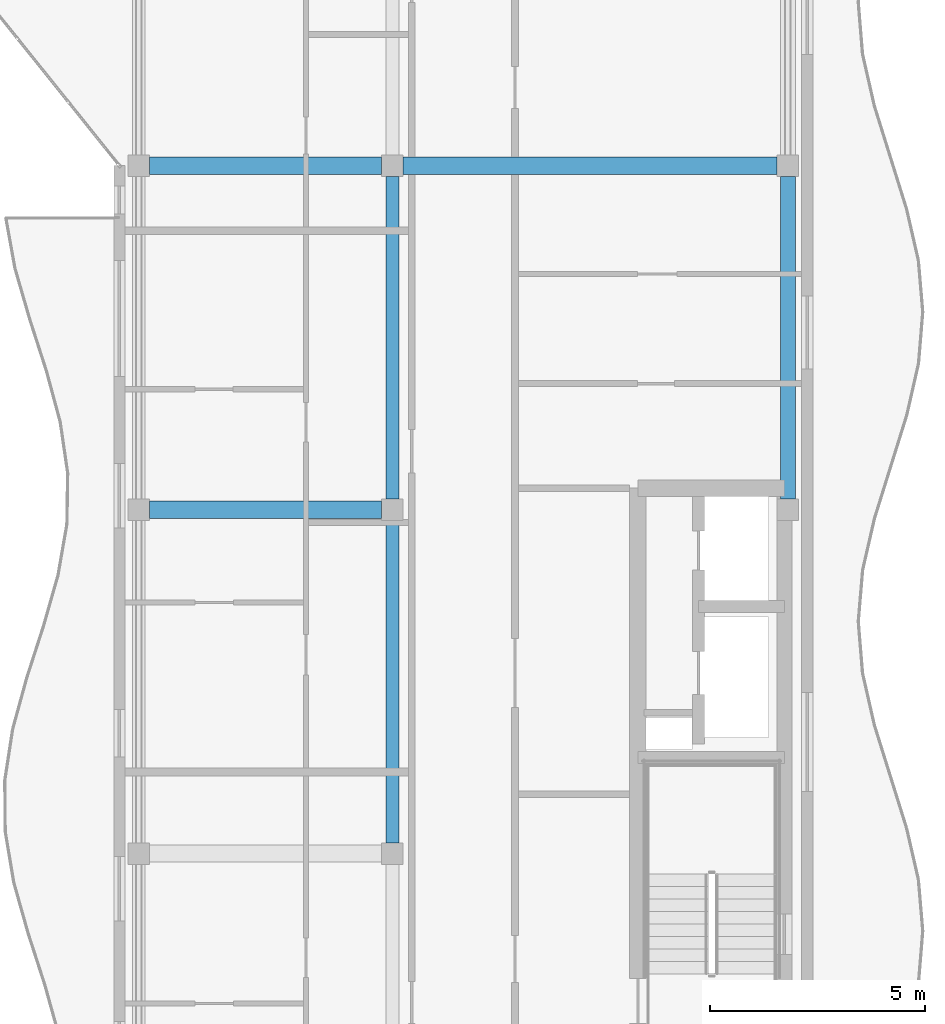
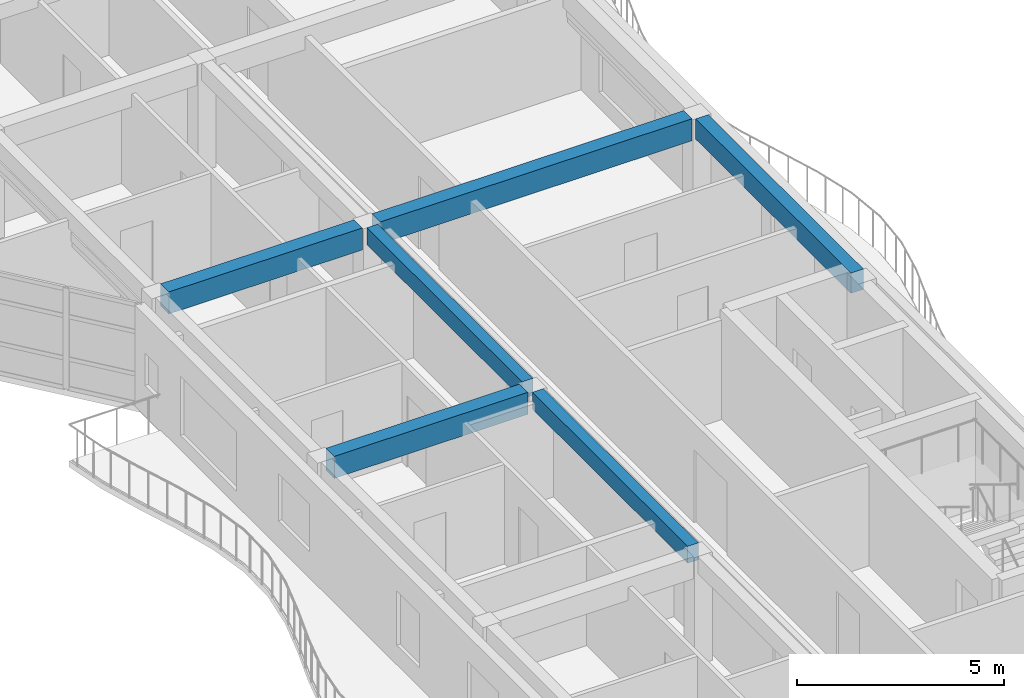
# One storey, part 8 of 30: 6 beams.
"""IFC4 building model written with IfcOpenShell, lengths in metres."""

from ifc_helpers import new_model, si_unit, direction, frame, origin, origin_2d, place, context, subcontext, project, spatial, rectangle, extrude, material, material_profile, profile_set, type_object, element, save


model = new_model("IFC4")

# Units and contexts
model_context = context("Model", 3, precision=1e-05, world=origin(), true_north=direction((0.0, 1.0)))
body_context = subcontext(model_context, "Body", "Model", "MODEL_VIEW")
ifc_project = project(units=[si_unit("LENGTHUNIT", "METRE"), si_unit("AREAUNIT", "SQUARE_METRE"), si_unit("VOLUMEUNIT", "CUBIC_METRE"), si_unit("PLANEANGLEUNIT", "RADIAN"), si_unit("MASSUNIT", "GRAM", prefix="KILO")], contexts=[model_context])

# Site, building, storey
site_placement = place(None, origin())
site = spatial("IfcSite", under=ifc_project, at=site_placement, CompositionType="ELEMENT")
building_placement = place(site_placement, origin())
building = spatial("IfcBuilding", under=site, at=building_placement, Name="Keldmere Railside Commons", CompositionType="ELEMENT")
storey_placement = place(building_placement, frame((0.0, 0.0, 36.159912109375)))
storey = spatial("IfcBuildingStorey", under=building, at=storey_placement, Name="L11", CompositionType="ELEMENT", Elevation=36.159912109375)

# Beams
ifc_material = material(Name="Concrete H-30 (C30/37)", Category="concrete")
ifc_material_profile_1 = material_profile(ifc_material, rectangle(XDim=0.35009765625, YDim=0.60009765625, at=origin_2d()), Name="RC-350x600")
ifc_profile_set_1 = profile_set([ifc_material_profile_1], Name="Concrete H-30 (C30/37)")
beam_type_1 = type_object("IfcBeamType", Name="Residential Chord RC Beam 350x600", PredefinedType="BEAM", material=ifc_profile_set_1)
beam_1_placement = place(storey_placement, frame((183.550048828125, 80.25, 2.900146484375), z_axis=(0.0, 1.0, 0.0), x_axis=(-1.0, 0.0, 0.0)))
element("IfcBeam", 1, at=beam_1_placement, inside=storey, type_object=beam_type_1, Name="BG-4 BM-L11-2481", PredefinedType="BEAM", context=body_context, shape_type="SweptSolid", body=[
    extrude(rectangle(XDim=0.35009765625, YDim=0.60009765625, at=origin_2d()), origin(), (0.0, 0.0, 1.0), 7.5),
])
ifc_material_profile_2 = material_profile(ifc_material, rectangle(XDim=0.39990234375, YDim=0.64990234375, at=origin_2d()), Name="RC-400x650")
ifc_profile_set_2 = profile_set([ifc_material_profile_2], Name="Concrete H-30 (C30/37)")
beam_type_2 = type_object("IfcBeamType", Name="Residential Spine RC Girder 400x650", PredefinedType="BEAM", material=ifc_profile_set_2)
for number, where, z_axis, x_axis, name in (
    (2, (168.699951171875, 80.0, 2.875), (1.0, 0.0, 0.0), (0.0, 1.0, 0.0), "BG-3 BM-L11-2433"),
    (3, (168.699951171875, 88.0, 2.875), (1.0, 0.0, 0.0), (0.0, 1.0, 0.0), "BG-3 BM-L11-2436"),
):
    element("IfcBeam", number, at=place(storey_placement, frame(where, z_axis=z_axis, x_axis=x_axis)), inside=storey, type_object=beam_type_2, Name=name, PredefinedType="BEAM", context=body_context, shape_type="SweptSolid", body=[
        extrude(rectangle(XDim=0.39990234375, YDim=0.64990234375, at=origin_2d()), origin(), (0.0, 0.0, 1.0), 5.400146484375),
    ])
beam_2_placement = place(storey_placement, frame((174.60009765625, 88.0, 2.875), z_axis=(1.0, 0.0, 0.0), x_axis=(0.0, 1.0, 0.0)))
element("IfcBeam", 4, at=beam_2_placement, inside=storey, type_object=beam_type_2, Name="BG-3 BM-L11-2437", PredefinedType="BEAM", context=body_context, shape_type="SweptSolid", body=[
    extrude(rectangle(XDim=0.39990234375, YDim=0.64990234375, at=origin_2d()), origin(), (0.0, 0.0, 1.0), 8.699951171875),
])
ifc_material_profile_3 = material_profile(ifc_material, rectangle(XDim=0.300048828125, YDim=0.5, at=origin_2d()), Name="RC-300x500")
ifc_profile_set_3 = profile_set([ifc_material_profile_3], Name="Concrete H-30 (C30/37)")
beam_type_3 = type_object("IfcBeamType", Name="Secondary Frame RC Beam 300x500", PredefinedType="BEAM", material=ifc_profile_set_3)
for number, where, z_axis, x_axis, name in (
    (5, (174.35009765625, 72.25, 2.9501953125), (0.0, 1.0, 0.0), (-1.0, 0.0, 0.0), "BG-5 BM-L11-2478"),
    (6, (174.35009765625, 80.25, 2.9501953125), (0.0, 1.0, 0.0), (-1.0, 0.0, 0.0), "BG-5 BM-L11-2479"),
):
    element("IfcBeam", number, at=place(storey_placement, frame(where, z_axis=z_axis, x_axis=x_axis)), inside=storey, type_object=beam_type_3, Name=name, PredefinedType="BEAM", context=body_context, shape_type="SweptSolid", body=[
        extrude(rectangle(XDim=0.300048828125, YDim=0.5, at=origin_2d()), origin(), (0.0, 0.0, 1.0), 7.5),
    ])

save(model, "model.ifc")
